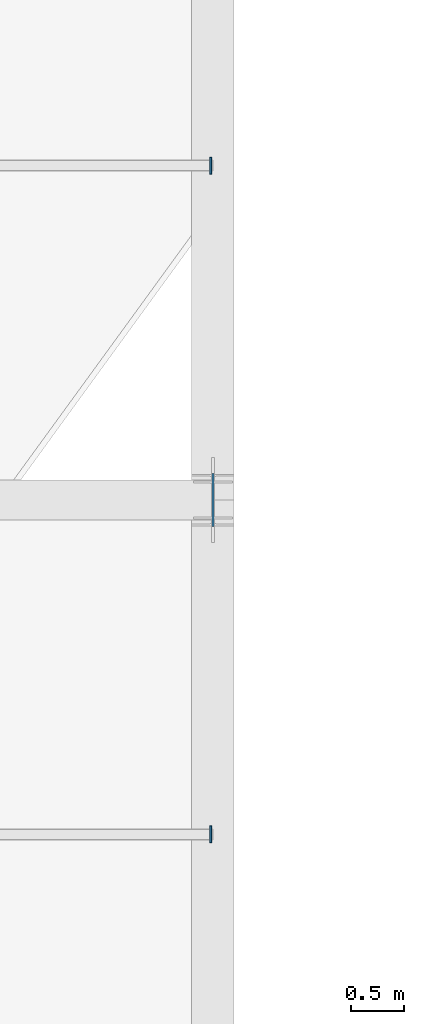
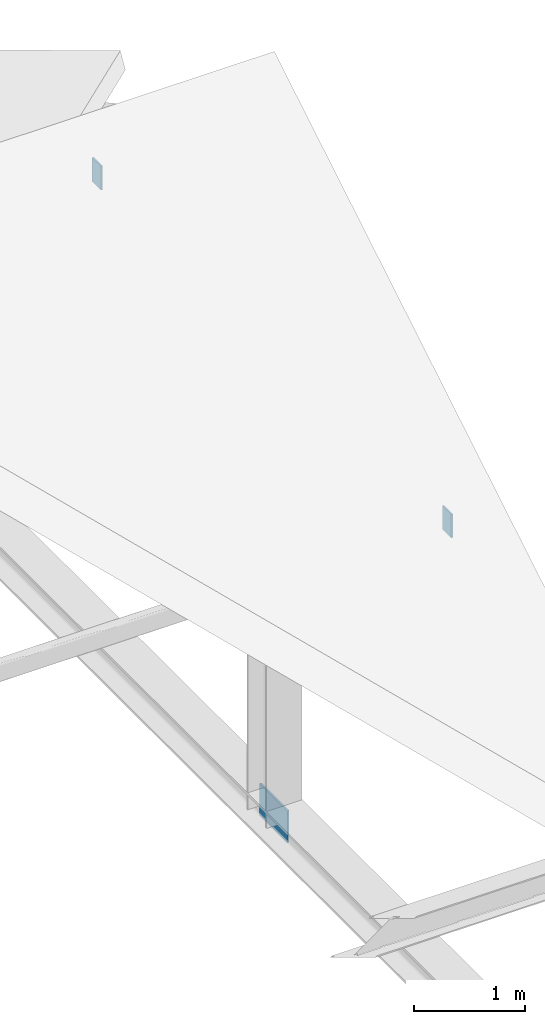
# One storey, part 11 of 13: 3 plates.
"""IFC4 building model written with IfcOpenShell, lengths in metres."""

from ifc_helpers import new_model, si_unit, direction, frame, origin, origin_2d, place, context, subcontext, project, spatial, rectangle, extrude, material, layer, layer_set, type_object, element, save


model = new_model("IFC4")

# Units and contexts
model_context = context("Model", 3, precision=1e-05, world=origin(), true_north=direction((0.0, 1.0)))
body_context = subcontext(model_context, "Body", "Model", "MODEL_VIEW")
ifc_project = project(units=[si_unit("LENGTHUNIT", "METRE"), si_unit("AREAUNIT", "SQUARE_METRE"), si_unit("VOLUMEUNIT", "CUBIC_METRE"), si_unit("PLANEANGLEUNIT", "RADIAN"), si_unit("MASSUNIT", "GRAM", prefix="KILO")], contexts=[model_context])

# Site, building, storey
site_placement = place(None, origin())
site = spatial("IfcSite", under=ifc_project, at=site_placement, CompositionType="ELEMENT")
building_placement = place(site_placement, origin())
building = spatial("IfcBuilding", under=site, at=building_placement, Name="Calvrana Isthmian Art Gallery", CompositionType="ELEMENT")
storey_placement = place(building_placement, frame((0.0, 0.0, 29.39990234375)))
storey = spatial("IfcBuildingStorey", under=building, at=storey_placement, Name="RF", CompositionType="ELEMENT", Elevation=29.39990234375)

# Plates
ifc_material = material(Name="Steel ASTM A572 Gr 50", Category="steel")
ifc_layer_1 = layer(ifc_material, 0.01611328125, Name="Steel ASTM A572 Gr 50")
ifc_layer_set_1 = layer_set([ifc_layer_1], Name="Steel ASTM A572 Gr 50")
plate_type_1 = type_object("IfcPlateType", Name="PL-CAP-16", PredefinedType="SHEET", material=ifc_layer_set_1)
for number, where, z_axis, x_axis, name in (
    (1, (80.3798828125, 31.050048828125, 4.224609375), (0.0, 0.0, 1.0), (1.0, 0.0, 0.0), "HSS purlin end cap S-7-3"),
    (2, (80.3798828125, 37.35009765625, 4.224609375), (0.0, 0.0, 1.0), (1.0, 0.0, 0.0), "HSS purlin end cap N-7-3"),
):
    element("IfcPlate", number, at=place(storey_placement, frame(where, z_axis=z_axis, x_axis=x_axis)), inside=storey, type_object=plate_type_1, Name=name, PredefinedType="SHEET", context=body_context, shape_type="SweptSolid", body=[
        extrude(rectangle(XDim=0.01611328125, YDim=0.159912109375, at=origin_2d()), origin(), (0.0, 0.0, 1.0), 0.260009765625),
    ])
ifc_layer_2 = layer(ifc_material, 0.02001953125, Name="Steel ASTM A572 Gr 50")
ifc_layer_set_2 = layer_set([ifc_layer_2], Name="Steel ASTM A572 Gr 50")
plate_type_2 = type_object("IfcPlateType", Name="PL-SPLICE-20", PredefinedType="SHEET", material=ifc_layer_set_2)
plate_placement = place(storey_placement, frame((80.39990234375, 34.199951171875, -0.935546875), z_axis=(0.0, 0.0, 1.0), x_axis=(1.0, 0.0, 0.0)))
element("IfcPlate", 3, at=plate_placement, inside=storey, type_object=plate_type_2, Name="Folded plate tie splice plate 11", PredefinedType="SHEET", context=body_context, shape_type="SweptSolid", body=[
    extrude(rectangle(XDim=0.02001953125, YDim=0.5, at=origin_2d()), origin(), (0.0, 0.0, 1.0), 0.35009765625),
])

save(model, "model.ifc")
